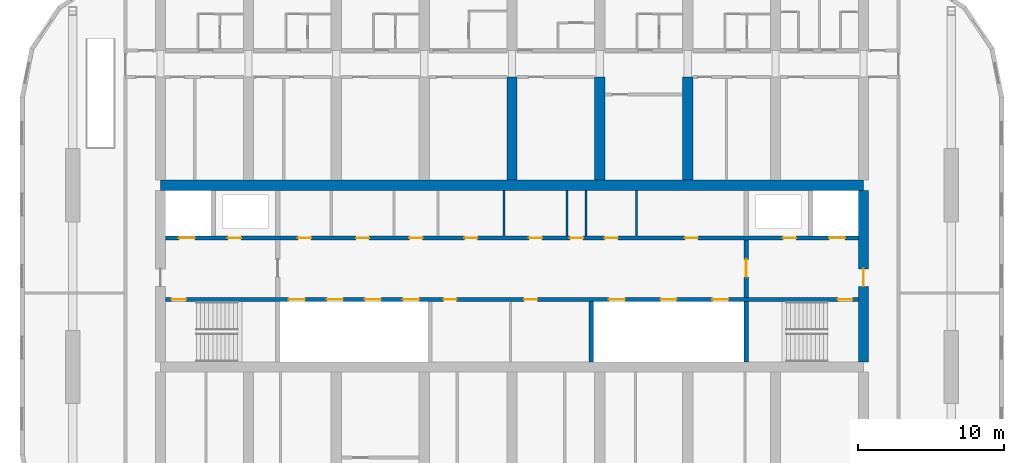
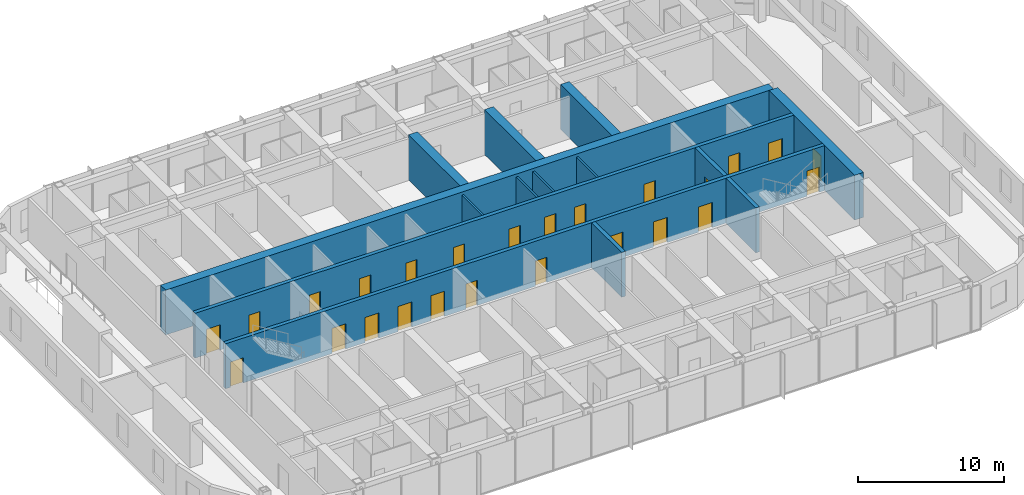
# One storey, part 14 of 23: 25 doors, 14 walls, 25 openings.
"""IFC4 building model written with IfcOpenShell, lengths in metres."""

import ifcopenshell
import ifcopenshell.guid

model = None  # the IFC model being written
_history = None  # IfcOwnerHistory: only IFC2X3 demands one
_inside = {}  # id of a spatial element -> (the spatial element, [elements in it])
_under = {}  # id of a project, library or spatial element -> (it, [spatial elements below it])
_declared = {}  # id of a project -> (the project, [libraries it declares])
_typed = {}  # id of a type object -> (the type object, [elements of that type])
_made_of = {}  # id of a material, layer set ... -> (it, [elements and type objects made of it])


def new_model(schema):
    """Start an empty IFC model of exactly this schema.

    Asked for "IFC4X3", IfcOpenShell would pick the latest addendum, in which some entities
    have other attributes; the version numbers below select the first issue.
    IFC2X3 requires an IfcOwnerHistory on every rooted entity: one is made here for all.
    """
    global model, _history
    if schema == "IFC4X3":
        model = ifcopenshell.file(schema_version=(4, 3, 0, 0))
    else:
        model = ifcopenshell.file(schema=schema)
    _inside.clear()
    _under.clear()
    _declared.clear()
    _typed.clear()
    _made_of.clear()
    _history = None
    if model.schema == "IFC2X3":
        org = make("IfcOrganization", Name="unknown")
        user = make(
            "IfcPersonAndOrganization",
            ThePerson=make("IfcPerson", FamilyName="unknown"),
            TheOrganization=org,
        )
        app = make(
            "IfcApplication",
            ApplicationDeveloper=org,
            Version="unknown",
            ApplicationFullName="unknown",
            ApplicationIdentifier="unknown",
        )
        _history = make(
            "IfcOwnerHistory",
            OwningUser=user,
            OwningApplication=app,
            ChangeAction="ADDED",
            CreationDate=0,
        )
    return model


def make(cls, **values):
    """One entity of the class cls with the attributes given. An attribute that is None is left unset."""
    return model.create_entity(
        cls, **{name: value for name, value in values.items() if value is not None}
    )


def rooted(cls, **values):
    """An entity with a GlobalId (a new one), such as an element, a storey or a relation."""
    return make(cls, GlobalId=ifcopenshell.guid.new(), OwnerHistory=_history, **values)


def si_unit(unit_type, name, prefix=None):
    """IfcSIUnit, for example si_unit("LENGTHUNIT", "METRE", prefix="MILLI")."""
    return make("IfcSIUnit", UnitType=unit_type, Prefix=prefix, Name=name)


def assignment(units):
    """IfcUnitAssignment: the units of a project."""
    return None if units is None else make("IfcUnitAssignment", Units=units)


def point(xyz):
    """IfcCartesianPoint."""
    return None if xyz is None else make("IfcCartesianPoint", Coordinates=xyz)


def direction(xyz):
    """IfcDirection."""
    return None if xyz is None else make("IfcDirection", DirectionRatios=xyz)


def frame(location, z_axis=None, x_axis=None):
    """IfcAxis2Placement3D, a coordinate frame: its origin and axes. An axis left out is left unset."""
    return make(
        "IfcAxis2Placement3D",
        Location=point(location),
        Axis=direction(z_axis),
        RefDirection=direction(x_axis),
    )


def frame_2d(location, x_axis=None):
    """IfcAxis2Placement2D, a coordinate frame in the plane: its origin and x axis."""
    return make(
        "IfcAxis2Placement2D", Location=point(location), RefDirection=direction(x_axis)
    )


def origin():
    """The frame at (0, 0, 0) with its axes left unset."""
    return frame((0.0, 0.0, 0.0))


def place(relative_to, where):
    """IfcLocalPlacement: puts the frame where relative to a parent placement (None: the world)."""
    return make(
        "IfcLocalPlacement", PlacementRelTo=relative_to, RelativePlacement=where
    )


def context(
    kind, dimensions, precision=None, world=None, true_north=None, identifier=None
):
    """IfcGeometricRepresentationContext, for example the 3D "Model" context."""
    return make(
        "IfcGeometricRepresentationContext",
        ContextIdentifier=identifier,
        ContextType=kind,
        CoordinateSpaceDimension=dimensions,
        Precision=precision,
        WorldCoordinateSystem=world,
        TrueNorth=true_north,
    )


def subcontext(parent, identifier, kind, view, scale=None):
    """IfcGeometricRepresentationSubContext, for example "Body" below "Model"."""
    return make(
        "IfcGeometricRepresentationSubContext",
        ContextIdentifier=identifier,
        ContextType=kind,
        ParentContext=parent,
        TargetScale=scale,
        TargetView=view,
    )


def project(units=None, contexts=None):
    """IfcProject with its units and contexts."""
    return rooted(
        "IfcProject",
        Name="project",
        RepresentationContexts=contexts,
        UnitsInContext=assignment(units),
    )


def spatial(cls, under=None, at=None, **own):
    """A site, building, storey or space (cls), placed at a placement, below another one or the project."""
    s = rooted(cls, ObjectPlacement=at, **own)
    if under is not None:
        _under.setdefault(under.id(), (under, []))[1].append(s)
    return s


def profile(cls, at=None, kind="AREA", **sizes):
    """A parametric profile (cls). Its sizes go by their IFC names, for example OverallWidth=200.0."""
    return make(cls, ProfileType=kind, Position=at, **sizes)


def rectangle(**sizes):
    """IfcRectangleProfileDef."""
    return profile("IfcRectangleProfileDef", **sizes)


def extrude(swept, where, along, depth):
    """IfcExtrudedAreaSolid: the profile swept, set in the frame where, extruded along a direction by depth."""
    return make(
        "IfcExtrudedAreaSolid",
        SweptArea=swept,
        Position=where,
        ExtrudedDirection=direction(along),
        Depth=depth,
    )


def shape(context_of_items, identifier, shape_type, items):
    """IfcShapeRepresentation: the items that make up one representation, for example the "Body"."""
    return make(
        "IfcShapeRepresentation",
        ContextOfItems=context_of_items,
        RepresentationIdentifier=identifier,
        RepresentationType=shape_type,
        Items=items,
    )


def material(Name=None, Category=None):
    """IfcMaterial."""
    return make("IfcMaterial", Name=Name, Category=Category)


def layer(
    of_material, thickness, ventilated=None, Name=None, Category=None, Priority=None
):
    """IfcMaterialLayer: one layer of a wall or slab, of a material (None: an air gap)."""
    return make(
        "IfcMaterialLayer",
        Material=of_material,
        LayerThickness=thickness,
        IsVentilated=ventilated,
        Name=Name,
        Category=Category,
        Priority=Priority,
    )


def layer_set(layers, Name=None):
    """IfcMaterialLayerSet."""
    return make("IfcMaterialLayerSet", MaterialLayers=layers, LayerSetName=Name)


def made_of(thing, what):
    """Note that an element or type object is made of a material, layer set ...; save() writes the relation."""
    if what is not None:
        _made_of.setdefault(what.id(), (what, []))[1].append(thing)
    return thing


def type_object(cls, material=None, **own):
    """A type object (cls), such as IfcWallType, which elements share."""
    return made_of(rooted(cls, **own), material)


def element(
    cls,
    number,
    at=None,
    inside=None,
    cuts=None,
    type_object=None,
    material=None,
    context=None,
    identifier="Body",
    shape_type=None,
    held_by="IfcProductDefinitionShape",
    body=None,
    shapes=None,
    **own,
):
    """One element of the class cls, such as IfcWall. Its Tag is "e" and its number.

    at: its placement. inside: the storey or other place that contains it. cuts: it is an
    opening in that element (IfcRelVoidsElement). A single representation is given by context,
    identifier, shape_type and body (its items); several are given by shapes. held_by: the class
    of the entity that holds the representations. save() writes the other relations.
    """
    e = rooted(cls, Tag="e%d" % number, ObjectPlacement=at, **own)
    if body is not None:
        shapes = [shape(context, identifier, shape_type, body)]
    if shapes is not None:
        e.Representation = make(held_by, Representations=shapes)
    if inside is not None:
        _inside.setdefault(inside.id(), (inside, []))[1].append(e)
    if cuts is not None:
        rooted(
            "IfcRelVoidsElement", RelatingBuildingElement=cuts, RelatedOpeningElement=e
        )
    if type_object is not None:
        _typed.setdefault(type_object.id(), (type_object, []))[1].append(e)
    return made_of(e, material)


def fill(opening, filler):
    """IfcRelFillsElement: the door or window that sits in an opening."""
    return rooted(
        "IfcRelFillsElement",
        RelatingOpeningElement=opening,
        RelatedBuildingElement=filler,
    )


def aggregate(whole, parts):
    """IfcRelAggregates: a whole, such as a stair, and the parts it consists of."""
    return rooted("IfcRelAggregates", RelatingObject=whole, RelatedObjects=parts)


def save(model, path):
    """Write the relations noted so far, then the file.

    IfcRelAggregates (storeys below a building ...), IfcRelContainedInSpatialStructure (elements
    in a storey), IfcRelDefinesByType, IfcRelAssociatesMaterial and IfcRelDeclares: one each for
    every whole, place, type object, material and project.
    """
    for whole, parts in _under.values():
        aggregate(whole, parts)
    for where, things in _inside.values():
        rooted(
            "IfcRelContainedInSpatialStructure",
            RelatedElements=things,
            RelatingStructure=where,
        )
    for kind, things in _typed.values():
        rooted("IfcRelDefinesByType", RelatedObjects=things, RelatingType=kind)
    for what, things in _made_of.values():
        rooted("IfcRelAssociatesMaterial", RelatedObjects=things, RelatingMaterial=what)
    for by, libraries in _declared.values():
        rooted("IfcRelDeclares", RelatingContext=by, RelatedDefinitions=libraries)
    model.write(path)


model = new_model("IFC4")

# Units and contexts
model_context = context("Model", 3, precision=1e-05, world=origin(), true_north=direction((0.0, 1.0)))
body_context = subcontext(model_context, "Body", "Model", "MODEL_VIEW")
ifc_project = project(units=[si_unit("LENGTHUNIT", "METRE"), si_unit("AREAUNIT", "SQUARE_METRE"), si_unit("VOLUMEUNIT", "CUBIC_METRE"), si_unit("PLANEANGLEUNIT", "RADIAN"), si_unit("MASSUNIT", "GRAM", prefix="KILO")], contexts=[model_context])

# Site, building, storey
site_placement = place(None, origin())
site = spatial("IfcSite", under=ifc_project, at=site_placement, CompositionType="ELEMENT")
building_placement = place(site_placement, origin())
building = spatial("IfcBuilding", under=site, at=building_placement, Name="Orbita Commons", CompositionType="ELEMENT")
storey_placement = place(building_placement, frame((0.0, 0.0, 250.300048828125)))
storey = spatial("IfcBuildingStorey", under=building, at=storey_placement, Name="L62", CompositionType="ELEMENT", Elevation=250.300048828125)

# Wall, openings, doors
ifc_material_1 = material(Name="Concrete C50/60", Category="concrete")
ifc_layer_1 = layer(ifc_material_1, 0.300048828125)
ifc_layer_set_1 = layer_set([ifc_layer_1], Name="Concrete C50/60")
wall_type_1 = type_object("IfcWallType", Name="Core inner wall 300 C50/60", PredefinedType="SHEAR", material=ifc_layer_set_1)
wall_1_placement = place(storey_placement, frame((18.35009765625, 30.39990234375, 0.0), z_axis=(0.0, 0.0, 1.0), x_axis=(1.0, 0.0, 0.0)))
wall_1 = element("IfcWall", 1, at=wall_1_placement, inside=storey, type_object=wall_type_1, Name="Lobby wall south L62", PredefinedType="SHEAR", context=body_context, shape_type="SweptSolid", body=[
    extrude(rectangle(XDim=47.2998046875, YDim=0.300048828125, at=frame_2d((23.64990234375, 0.0))), origin(), (0.0, 0.0, 1.0), 3.75),
])
opening_1_placement = place(wall_1_placement, frame((0.39990234375, 0.0, 0.0)))
opening_1 = element("IfcOpeningElement", 2, at=opening_1_placement, cuts=wall_1, Name="Opening D02", PredefinedType="OPENING", context=body_context, shape_type="SweptSolid", body=[
    extrude(rectangle(XDim=1.0, YDim=2.10009765625, at=frame_2d((0.5, 1.050048828125))), frame((0.0, 0.159912109375, 0.0), z_axis=(0.0, -1.0, 0.0), x_axis=(1.0, 0.0, 0.0)), (0.0, 0.0, 1.0), 0.320068359375),
])
opening_2_placement = place(wall_1_placement, frame((45.89990234375, 0.0, 0.0)))
opening_2 = element("IfcOpeningElement", 3, at=opening_2_placement, cuts=wall_1, Name="Opening D02", PredefinedType="OPENING", context=body_context, shape_type="SweptSolid", body=[
    extrude(rectangle(XDim=1.0, YDim=2.10009765625, at=frame_2d((0.5, 1.050048828125))), frame((0.0, 0.159912109375, 0.0), z_axis=(0.0, -1.0, 0.0), x_axis=(1.0, 0.0, 0.0)), (0.0, 0.0, 1.0), 0.320068359375),
])
opening_3_placement = place(wall_1_placement, frame((8.39990234375, 0.0, 0.0)))
opening_3 = element("IfcOpeningElement", 4, at=opening_3_placement, cuts=wall_1, Name="Opening LD02", PredefinedType="OPENING", context=body_context, shape_type="SweptSolid", body=[
    extrude(rectangle(XDim=1.10009765625, YDim=2.10009765625, at=frame_2d((0.550048828125, 1.050048828125))), frame((0.0, 0.159912109375, 0.0), z_axis=(0.0, -1.0, 0.0), x_axis=(1.0, 0.0, 0.0)), (0.0, 0.0, 1.0), 0.320068359375),
])
opening_4_placement = place(wall_1_placement, frame((11.0, 0.0, 0.0)))
opening_4 = element("IfcOpeningElement", 5, at=opening_4_placement, cuts=wall_1, Name="Opening LD02", PredefinedType="OPENING", context=body_context, shape_type="SweptSolid", body=[
    extrude(rectangle(XDim=1.10009765625, YDim=2.10009765625, at=frame_2d((0.550048828125, 1.050048828125))), frame((0.0, 0.159912109375, 0.0), z_axis=(0.0, -1.0, 0.0), x_axis=(1.0, 0.0, 0.0)), (0.0, 0.0, 1.0), 0.320068359375),
])
opening_5_placement = place(wall_1_placement, frame((13.60009765625, 0.0, 0.0)))
opening_5 = element("IfcOpeningElement", 6, at=opening_5_placement, cuts=wall_1, Name="Opening LD02", PredefinedType="OPENING", context=body_context, shape_type="SweptSolid", body=[
    extrude(rectangle(XDim=1.10009765625, YDim=2.10009765625, at=frame_2d((0.550048828125, 1.050048828125))), frame((0.0, 0.159912109375, 0.0), z_axis=(0.0, -1.0, 0.0), x_axis=(1.0, 0.0, 0.0)), (0.0, 0.0, 1.0), 0.320068359375),
])
opening_6_placement = place(wall_1_placement, frame((16.199951171875, 0.0, 0.0)))
opening_6 = element("IfcOpeningElement", 7, at=opening_6_placement, cuts=wall_1, Name="Opening LD02", PredefinedType="OPENING", context=body_context, shape_type="SweptSolid", body=[
    extrude(rectangle(XDim=1.10009765625, YDim=2.10009765625, at=frame_2d((0.550048828125, 1.050048828125))), frame((0.0, 0.159912109375, 0.0), z_axis=(0.0, -1.0, 0.0), x_axis=(1.0, 0.0, 0.0)), (0.0, 0.0, 1.0), 0.320068359375),
])
opening_7_placement = place(wall_1_placement, frame((18.97509765625, 0.0, 0.0)))
opening_7 = element("IfcOpeningElement", 8, at=opening_7_placement, cuts=wall_1, Name="Opening D05", PredefinedType="OPENING", context=body_context, shape_type="SweptSolid", body=[
    extrude(rectangle(XDim=0.89990234375, YDim=2.10009765625, at=frame_2d((0.449951171875, 1.050048828125))), frame((0.0, 0.159912109375, 0.0), z_axis=(0.0, -1.0, 0.0), x_axis=(1.0, 0.0, 0.0)), (0.0, 0.0, 1.0), 0.320068359375),
])
opening_8_placement = place(wall_1_placement, frame((24.47509765625, 0.0, 0.0)))
opening_8 = element("IfcOpeningElement", 9, at=opening_8_placement, cuts=wall_1, Name="Opening D05", PredefinedType="OPENING", context=body_context, shape_type="SweptSolid", body=[
    extrude(rectangle(XDim=0.89990234375, YDim=2.10009765625, at=frame_2d((0.449951171875, 1.050048828125))), frame((0.0, 0.159912109375, 0.0), z_axis=(0.0, -1.0, 0.0), x_axis=(1.0, 0.0, 0.0)), (0.0, 0.0, 1.0), 0.320068359375),
])
opening_9_placement = place(wall_1_placement, frame((30.2666015625, 0.0, 0.0)))
opening_9 = element("IfcOpeningElement", 10, at=opening_9_placement, cuts=wall_1, Name="Opening LD02", PredefinedType="OPENING", context=body_context, shape_type="SweptSolid", body=[
    extrude(rectangle(XDim=1.10009765625, YDim=2.10009765625, at=frame_2d((0.550048828125, 1.050048828125))), frame((0.0, 0.159912109375, 0.0), z_axis=(0.0, -1.0, 0.0), x_axis=(1.0, 0.0, 0.0)), (0.0, 0.0, 1.0), 0.320068359375),
])
opening_10_placement = place(wall_1_placement, frame((33.800048828125, 0.0, 0.0)))
opening_10 = element("IfcOpeningElement", 11, at=opening_10_placement, cuts=wall_1, Name="Opening LD02", PredefinedType="OPENING", context=body_context, shape_type="SweptSolid", body=[
    extrude(rectangle(XDim=1.10009765625, YDim=2.10009765625, at=frame_2d((0.550048828125, 1.050048828125))), frame((0.0, 0.159912109375, 0.0), z_axis=(0.0, -1.0, 0.0), x_axis=(1.0, 0.0, 0.0)), (0.0, 0.0, 1.0), 0.320068359375),
])
opening_11_placement = place(wall_1_placement, frame((37.333251953125, 0.0, 0.0)))
opening_11 = element("IfcOpeningElement", 12, at=opening_11_placement, cuts=wall_1, Name="Opening LD02", PredefinedType="OPENING", context=body_context, shape_type="SweptSolid", body=[
    extrude(rectangle(XDim=1.10009765625, YDim=2.10009765625, at=frame_2d((0.550048828125, 1.050048828125))), frame((0.0, 0.159912109375, 0.0), z_axis=(0.0, -1.0, 0.0), x_axis=(1.0, 0.0, 0.0)), (0.0, 0.0, 1.0), 0.320068359375),
])
ifc_material_2 = material(Name="Steel-faced fire door leaf", Category="steel")
door_type_1 = type_object("IfcDoorType", Name="Fire door 90 min 1000x2100", OperationType="SINGLE_SWING_LEFT", PredefinedType="DOOR", material=ifc_material_2)
door_1_placement = place(opening_1_placement, origin())
door_1 = element("IfcDoor", 13, at=door_1_placement, inside=storey, type_object=door_type_1, Name="Stair S1 door", OperationType="SINGLE_SWING_LEFT", OverallHeight=2.10009765625, OverallWidth=1.0, PredefinedType="DOOR", context=body_context, shape_type="SweptSolid", body=[
    extrude(rectangle(XDim=1.0, YDim=2.10009765625, at=frame_2d((0.5, 1.050048828125))), frame((0.0, 0.02490234375, 0.0), z_axis=(0.0, -1.0, 0.0), x_axis=(1.0, 0.0, 0.0)), (0.0, 0.0, 1.0), 0.050048828125),
])
fill(opening_1, door_1)
door_2_placement = place(opening_2_placement, origin())
door_2 = element("IfcDoor", 14, at=door_2_placement, inside=storey, type_object=door_type_1, Name="Stair S2 door", OperationType="SINGLE_SWING_LEFT", OverallHeight=2.10009765625, OverallWidth=1.0, PredefinedType="DOOR", context=body_context, shape_type="SweptSolid", body=[
    extrude(rectangle(XDim=1.0, YDim=2.10009765625, at=frame_2d((0.5, 1.050048828125))), frame((0.0, 0.02490234375, 0.0), z_axis=(0.0, -1.0, 0.0), x_axis=(1.0, 0.0, 0.0)), (0.0, 0.0, 1.0), 0.050048828125),
])
fill(opening_2, door_2)
ifc_material_3 = material(Name="Steel-faced fire door leaf", Category="steel")
door_type_2 = type_object("IfcDoorType", Name="Lift landing door 1100x2100", OperationType="DOUBLE_DOOR_SLIDING", PredefinedType="DOOR", material=ifc_material_3)
door_3_placement = place(opening_3_placement, origin())
door_3 = element("IfcDoor", 15, at=door_3_placement, inside=storey, type_object=door_type_2, Name="Lift P41 landing door", OperationType="DOUBLE_DOOR_SLIDING", OverallHeight=2.10009765625, OverallWidth=1.10009765625, PredefinedType="DOOR", context=body_context, shape_type="SweptSolid", body=[
    extrude(rectangle(XDim=1.10009765625, YDim=2.10009765625, at=frame_2d((0.550048828125, 1.050048828125))), frame((0.0, 0.02490234375, 0.0), z_axis=(0.0, -1.0, 0.0), x_axis=(1.0, 0.0, 0.0)), (0.0, 0.0, 1.0), 0.050048828125),
])
fill(opening_3, door_3)
door_4_placement = place(opening_4_placement, origin())
door_4 = element("IfcDoor", 16, at=door_4_placement, inside=storey, type_object=door_type_2, Name="Lift P42 landing door", OperationType="DOUBLE_DOOR_SLIDING", OverallHeight=2.10009765625, OverallWidth=1.10009765625, PredefinedType="DOOR", context=body_context, shape_type="SweptSolid", body=[
    extrude(rectangle(XDim=1.10009765625, YDim=2.10009765625, at=frame_2d((0.550048828125, 1.050048828125))), frame((0.0, 0.02490234375, 0.0), z_axis=(0.0, -1.0, 0.0), x_axis=(1.0, 0.0, 0.0)), (0.0, 0.0, 1.0), 0.050048828125),
])
fill(opening_4, door_4)
door_5_placement = place(opening_5_placement, origin())
door_5 = element("IfcDoor", 17, at=door_5_placement, inside=storey, type_object=door_type_2, Name="Lift P43 landing door", OperationType="DOUBLE_DOOR_SLIDING", OverallHeight=2.10009765625, OverallWidth=1.10009765625, PredefinedType="DOOR", context=body_context, shape_type="SweptSolid", body=[
    extrude(rectangle(XDim=1.10009765625, YDim=2.10009765625, at=frame_2d((0.550048828125, 1.050048828125))), frame((0.0, 0.02490234375, 0.0), z_axis=(0.0, -1.0, 0.0), x_axis=(1.0, 0.0, 0.0)), (0.0, 0.0, 1.0), 0.050048828125),
])
fill(opening_5, door_5)
door_6_placement = place(opening_6_placement, origin())
door_6 = element("IfcDoor", 18, at=door_6_placement, inside=storey, type_object=door_type_2, Name="Lift P44 landing door", OperationType="DOUBLE_DOOR_SLIDING", OverallHeight=2.10009765625, OverallWidth=1.10009765625, PredefinedType="DOOR", context=body_context, shape_type="SweptSolid", body=[
    extrude(rectangle(XDim=1.10009765625, YDim=2.10009765625, at=frame_2d((0.550048828125, 1.050048828125))), frame((0.0, 0.02490234375, 0.0), z_axis=(0.0, -1.0, 0.0), x_axis=(1.0, 0.0, 0.0)), (0.0, 0.0, 1.0), 0.050048828125),
])
fill(opening_6, door_6)
door_7_placement = place(opening_9_placement, origin())
door_7 = element("IfcDoor", 19, at=door_7_placement, inside=storey, type_object=door_type_2, Name="Lift SV1 landing door", OperationType="DOUBLE_DOOR_SLIDING", OverallHeight=2.10009765625, OverallWidth=1.10009765625, PredefinedType="DOOR", context=body_context, shape_type="SweptSolid", body=[
    extrude(rectangle(XDim=1.10009765625, YDim=2.10009765625, at=frame_2d((0.550048828125, 1.050048828125))), frame((0.0, 0.02490234375, 0.0), z_axis=(0.0, -1.0, 0.0), x_axis=(1.0, 0.0, 0.0)), (0.0, 0.0, 1.0), 0.050048828125),
])
fill(opening_9, door_7)
door_8_placement = place(opening_10_placement, origin())
door_8 = element("IfcDoor", 20, at=door_8_placement, inside=storey, type_object=door_type_2, Name="Lift SV2 landing door", OperationType="DOUBLE_DOOR_SLIDING", OverallHeight=2.10009765625, OverallWidth=1.10009765625, PredefinedType="DOOR", context=body_context, shape_type="SweptSolid", body=[
    extrude(rectangle(XDim=1.10009765625, YDim=2.10009765625, at=frame_2d((0.550048828125, 1.050048828125))), frame((0.0, 0.02490234375, 0.0), z_axis=(0.0, -1.0, 0.0), x_axis=(1.0, 0.0, 0.0)), (0.0, 0.0, 1.0), 0.050048828125),
])
fill(opening_10, door_8)
door_9_placement = place(opening_11_placement, origin())
door_9 = element("IfcDoor", 21, at=door_9_placement, inside=storey, type_object=door_type_2, Name="Lift SV3 landing door", OperationType="DOUBLE_DOOR_SLIDING", OverallHeight=2.10009765625, OverallWidth=1.10009765625, PredefinedType="DOOR", context=body_context, shape_type="SweptSolid", body=[
    extrude(rectangle(XDim=1.10009765625, YDim=2.10009765625, at=frame_2d((0.550048828125, 1.050048828125))), frame((0.0, 0.02490234375, 0.0), z_axis=(0.0, -1.0, 0.0), x_axis=(1.0, 0.0, 0.0)), (0.0, 0.0, 1.0), 0.050048828125),
])
fill(opening_11, door_9)
ifc_material_4 = material(Name="Steel-faced fire door leaf", Category="steel")
door_type_3 = type_object("IfcDoorType", Name="Service door 20 min 900x2100", OperationType="SINGLE_SWING_LEFT", PredefinedType="DOOR", material=ifc_material_4)
door_10_placement = place(opening_7_placement, origin())
door_10 = element("IfcDoor", 22, at=door_10_placement, inside=storey, type_object=door_type_3, Name="Residents' store door", OperationType="SINGLE_SWING_LEFT", OverallHeight=2.10009765625, OverallWidth=0.89990234375, PredefinedType="DOOR", context=body_context, shape_type="SweptSolid", body=[
    extrude(rectangle(XDim=0.89990234375, YDim=2.10009765625, at=frame_2d((0.449951171875, 1.050048828125))), frame((0.0, 0.02490234375, 0.0), z_axis=(0.0, -1.0, 0.0), x_axis=(1.0, 0.0, 0.0)), (0.0, 0.0, 1.0), 0.050048828125),
])
fill(opening_7, door_10)
door_11_placement = place(opening_8_placement, origin())
door_11 = element("IfcDoor", 23, at=door_11_placement, inside=storey, type_object=door_type_3, Name="IT room door", OperationType="SINGLE_SWING_LEFT", OverallHeight=2.10009765625, OverallWidth=0.89990234375, PredefinedType="DOOR", context=body_context, shape_type="SweptSolid", body=[
    extrude(rectangle(XDim=0.89990234375, YDim=2.10009765625, at=frame_2d((0.449951171875, 1.050048828125))), frame((0.0, 0.02490234375, 0.0), z_axis=(0.0, -1.0, 0.0), x_axis=(1.0, 0.0, 0.0)), (0.0, 0.0, 1.0), 0.050048828125),
])
fill(opening_8, door_11)

wall_2_placement = place(storey_placement, frame((18.35009765625, 34.60009765625, 0.0), z_axis=(0.0, 0.0, 1.0), x_axis=(1.0, 0.0, 0.0)))
wall_2 = element("IfcWall", 24, at=wall_2_placement, inside=storey, type_object=wall_type_1, Name="Lobby wall north L62", PredefinedType="SHEAR", context=body_context, shape_type="SweptSolid", body=[
    extrude(rectangle(XDim=47.2998046875, YDim=0.300048828125, at=frame_2d((23.64990234375, 0.0))), origin(), (0.0, 0.0, 1.0), 3.75),
])
opening_12_placement = place(wall_2_placement, frame((0.89990234375, 0.0, 0.0)))
opening_12 = element("IfcOpeningElement", 25, at=opening_12_placement, cuts=wall_2, Name="Opening LD01", PredefinedType="OPENING", context=body_context, shape_type="SweptSolid", body=[
    extrude(rectangle(XDim=1.10009765625, YDim=2.10009765625, at=frame_2d((0.550048828125, 1.050048828125))), frame((0.0, 0.159912109375, 0.0), z_axis=(0.0, -1.0, 0.0), x_axis=(1.0, 0.0, 0.0)), (0.0, 0.0, 1.0), 0.320068359375),
])
opening_13_placement = place(wall_2_placement, frame((45.300048828125, 0.0, 0.0)))
opening_13 = element("IfcOpeningElement", 26, at=opening_13_placement, cuts=wall_2, Name="Opening LD01", PredefinedType="OPENING", context=body_context, shape_type="SweptSolid", body=[
    extrude(rectangle(XDim=1.10009765625, YDim=2.10009765625, at=frame_2d((0.550048828125, 1.050048828125))), frame((0.0, 0.159912109375, 0.0), z_axis=(0.0, -1.0, 0.0), x_axis=(1.0, 0.0, 0.0)), (0.0, 0.0, 1.0), 0.320068359375),
])
opening_14_placement = place(wall_2_placement, frame((4.25, 0.0, 0.0)))
opening_14 = element("IfcOpeningElement", 27, at=opening_14_placement, cuts=wall_2, Name="Opening D03", PredefinedType="OPENING", context=body_context, shape_type="SweptSolid", body=[
    extrude(rectangle(XDim=0.89990234375, YDim=2.10009765625, at=frame_2d((0.449951171875, 1.050048828125))), frame((0.0, 0.159912109375, 0.0), z_axis=(0.0, -1.0, 0.0), x_axis=(1.0, 0.0, 0.0)), (0.0, 0.0, 1.0), 0.320068359375),
])
opening_15_placement = place(wall_2_placement, frame((42.14990234375, 0.0, 0.0)))
opening_15 = element("IfcOpeningElement", 28, at=opening_15_placement, cuts=wall_2, Name="Opening D03", PredefinedType="OPENING", context=body_context, shape_type="SweptSolid", body=[
    extrude(rectangle(XDim=0.89990234375, YDim=2.10009765625, at=frame_2d((0.449951171875, 1.050048828125))), frame((0.0, 0.159912109375, 0.0), z_axis=(0.0, -1.0, 0.0), x_axis=(1.0, 0.0, 0.0)), (0.0, 0.0, 1.0), 0.320068359375),
])
opening_16_placement = place(wall_2_placement, frame((9.025390625, 0.0, 0.0)))
opening_16 = element("IfcOpeningElement", 29, at=opening_16_placement, cuts=wall_2, Name="Opening D05", PredefinedType="OPENING", context=body_context, shape_type="SweptSolid", body=[
    extrude(rectangle(XDim=0.89990234375, YDim=2.10009765625, at=frame_2d((0.449951171875, 1.050048828125))), frame((0.0, 0.159912109375, 0.0), z_axis=(0.0, -1.0, 0.0), x_axis=(1.0, 0.0, 0.0)), (0.0, 0.0, 1.0), 0.320068359375),
])
opening_17_placement = place(wall_2_placement, frame((12.998779296875, 0.0, 0.0)))
opening_17 = element("IfcOpeningElement", 30, at=opening_17_placement, cuts=wall_2, Name="Opening D03", PredefinedType="OPENING", context=body_context, shape_type="SweptSolid", body=[
    extrude(rectangle(XDim=0.89990234375, YDim=2.10009765625, at=frame_2d((0.449951171875, 1.050048828125))), frame((0.0, 0.159912109375, 0.0), z_axis=(0.0, -1.0, 0.0), x_axis=(1.0, 0.0, 0.0)), (0.0, 0.0, 1.0), 0.320068359375),
])
opening_18_placement = place(wall_2_placement, frame((16.646240234375, 0.0, 0.0)))
opening_18 = element("IfcOpeningElement", 31, at=opening_18_placement, cuts=wall_2, Name="Opening D03", PredefinedType="OPENING", context=body_context, shape_type="SweptSolid", body=[
    extrude(rectangle(XDim=0.89990234375, YDim=2.10009765625, at=frame_2d((0.449951171875, 1.050048828125))), frame((0.0, 0.159912109375, 0.0), z_axis=(0.0, -1.0, 0.0), x_axis=(1.0, 0.0, 0.0)), (0.0, 0.0, 1.0), 0.320068359375),
])
opening_19_placement = place(wall_2_placement, frame((20.40478515625, 0.0, 0.0)))
opening_19 = element("IfcOpeningElement", 32, at=opening_19_placement, cuts=wall_2, Name="Opening D05", PredefinedType="OPENING", context=body_context, shape_type="SweptSolid", body=[
    extrude(rectangle(XDim=0.89990234375, YDim=2.10009765625, at=frame_2d((0.449951171875, 1.050048828125))), frame((0.0, 0.159912109375, 0.0), z_axis=(0.0, -1.0, 0.0), x_axis=(1.0, 0.0, 0.0)), (0.0, 0.0, 1.0), 0.320068359375),
])
opening_20_placement = place(wall_2_placement, frame((24.810791015625, 0.0, 0.0)))
opening_20 = element("IfcOpeningElement", 33, at=opening_20_placement, cuts=wall_2, Name="Opening D03", PredefinedType="OPENING", context=body_context, shape_type="SweptSolid", body=[
    extrude(rectangle(XDim=0.89990234375, YDim=2.10009765625, at=frame_2d((0.449951171875, 1.050048828125))), frame((0.0, 0.159912109375, 0.0), z_axis=(0.0, -1.0, 0.0), x_axis=(1.0, 0.0, 0.0)), (0.0, 0.0, 1.0), 0.320068359375),
])
opening_21_placement = place(wall_2_placement, frame((27.6083984375, 0.0, 0.0)))
opening_21 = element("IfcOpeningElement", 34, at=opening_21_placement, cuts=wall_2, Name="Opening D03", PredefinedType="OPENING", context=body_context, shape_type="SweptSolid", body=[
    extrude(rectangle(XDim=0.89990234375, YDim=2.10009765625, at=frame_2d((0.449951171875, 1.050048828125))), frame((0.0, 0.159912109375, 0.0), z_axis=(0.0, -1.0, 0.0), x_axis=(1.0, 0.0, 0.0)), (0.0, 0.0, 1.0), 0.320068359375),
])
opening_22_placement = place(wall_2_placement, frame((29.980712890625, 0.0, 0.0)))
opening_22 = element("IfcOpeningElement", 35, at=opening_22_placement, cuts=wall_2, Name="Opening D05", PredefinedType="OPENING", context=body_context, shape_type="SweptSolid", body=[
    extrude(rectangle(XDim=0.89990234375, YDim=2.10009765625, at=frame_2d((0.449951171875, 1.050048828125))), frame((0.0, 0.159912109375, 0.0), z_axis=(0.0, -1.0, 0.0), x_axis=(1.0, 0.0, 0.0)), (0.0, 0.0, 1.0), 0.320068359375),
])
opening_23_placement = place(wall_2_placement, frame((35.451416015625, 0.0, 0.0)))
opening_23 = element("IfcOpeningElement", 36, at=opening_23_placement, cuts=wall_2, Name="Opening D03", PredefinedType="OPENING", context=body_context, shape_type="SweptSolid", body=[
    extrude(rectangle(XDim=0.89990234375, YDim=2.10009765625, at=frame_2d((0.449951171875, 1.050048828125))), frame((0.0, 0.159912109375, 0.0), z_axis=(0.0, -1.0, 0.0), x_axis=(1.0, 0.0, 0.0)), (0.0, 0.0, 1.0), 0.320068359375),
])
ifc_material_5 = material(Name="Steel-faced fire door leaf", Category="steel")
door_type_4 = type_object("IfcDoorType", Name="Firefighting lift landing door 1100x2100", OperationType="DOUBLE_DOOR_SLIDING", PredefinedType="DOOR", material=ifc_material_5)
door_12_placement = place(opening_12_placement, origin())
door_12 = element("IfcDoor", 37, at=door_12_placement, inside=storey, type_object=door_type_4, Name="Firefighting lift FL1 landing door", OperationType="DOUBLE_DOOR_SLIDING", OverallHeight=2.10009765625, OverallWidth=1.10009765625, PredefinedType="DOOR", context=body_context, shape_type="SweptSolid", body=[
    extrude(rectangle(XDim=1.10009765625, YDim=2.10009765625, at=frame_2d((0.550048828125, 1.050048828125))), frame((0.0, 0.02490234375, 0.0), z_axis=(0.0, -1.0, 0.0), x_axis=(1.0, 0.0, 0.0)), (0.0, 0.0, 1.0), 0.050048828125),
])
fill(opening_12, door_12)
door_13_placement = place(opening_13_placement, origin())
door_13 = element("IfcDoor", 38, at=door_13_placement, inside=storey, type_object=door_type_4, Name="Firefighting lift FL2 landing door", OperationType="DOUBLE_DOOR_SLIDING", OverallHeight=2.10009765625, OverallWidth=1.10009765625, PredefinedType="DOOR", context=body_context, shape_type="SweptSolid", body=[
    extrude(rectangle(XDim=1.10009765625, YDim=2.10009765625, at=frame_2d((0.550048828125, 1.050048828125))), frame((0.0, 0.02490234375, 0.0), z_axis=(0.0, -1.0, 0.0), x_axis=(1.0, 0.0, 0.0)), (0.0, 0.0, 1.0), 0.050048828125),
])
fill(opening_13, door_13)
door_14_placement = place(opening_16_placement, origin())
door_14 = element("IfcDoor", 39, at=door_14_placement, inside=storey, type_object=door_type_3, Name="Staff WC door", OperationType="SINGLE_SWING_LEFT", OverallHeight=2.10009765625, OverallWidth=0.89990234375, PredefinedType="DOOR", context=body_context, shape_type="SweptSolid", body=[
    extrude(rectangle(XDim=0.89990234375, YDim=2.10009765625, at=frame_2d((0.449951171875, 1.050048828125))), frame((0.0, 0.02490234375, 0.0), z_axis=(0.0, -1.0, 0.0), x_axis=(1.0, 0.0, 0.0)), (0.0, 0.0, 1.0), 0.050048828125),
])
fill(opening_16, door_14)
door_15_placement = place(opening_19_placement, origin())
door_15 = element("IfcDoor", 40, at=door_15_placement, inside=storey, type_object=door_type_3, Name="Vending and ice room door", OperationType="SINGLE_SWING_LEFT", OverallHeight=2.10009765625, OverallWidth=0.89990234375, PredefinedType="DOOR", context=body_context, shape_type="SweptSolid", body=[
    extrude(rectangle(XDim=0.89990234375, YDim=2.10009765625, at=frame_2d((0.449951171875, 1.050048828125))), frame((0.0, 0.02490234375, 0.0), z_axis=(0.0, -1.0, 0.0), x_axis=(1.0, 0.0, 0.0)), (0.0, 0.0, 1.0), 0.050048828125),
])
fill(opening_19, door_15)
door_16_placement = place(opening_22_placement, origin())
door_16 = element("IfcDoor", 41, at=door_16_placement, inside=storey, type_object=door_type_3, Name="Accessible WC door", OperationType="SINGLE_SWING_LEFT", OverallHeight=2.10009765625, OverallWidth=0.89990234375, PredefinedType="DOOR", context=body_context, shape_type="SweptSolid", body=[
    extrude(rectangle(XDim=0.89990234375, YDim=2.10009765625, at=frame_2d((0.449951171875, 1.050048828125))), frame((0.0, 0.02490234375, 0.0), z_axis=(0.0, -1.0, 0.0), x_axis=(1.0, 0.0, 0.0)), (0.0, 0.0, 1.0), 0.050048828125),
])
fill(opening_22, door_16)
ifc_material_6 = material(Name="Steel-faced fire door leaf", Category="steel")
door_type_5 = type_object("IfcDoorType", Name="Shaft access door 90 min 900x2100", OperationType="SINGLE_SWING_LEFT", PredefinedType="DOOR", material=ifc_material_6)
door_17_placement = place(opening_14_placement, origin())
door_17 = element("IfcDoor", 42, at=door_17_placement, inside=storey, type_object=door_type_5, Name="Riser door west", OperationType="SINGLE_SWING_LEFT", OverallHeight=2.10009765625, OverallWidth=0.89990234375, PredefinedType="DOOR", context=body_context, shape_type="SweptSolid", body=[
    extrude(rectangle(XDim=0.89990234375, YDim=2.10009765625, at=frame_2d((0.449951171875, 1.050048828125))), frame((0.0, 0.02490234375, 0.0), z_axis=(0.0, -1.0, 0.0), x_axis=(1.0, 0.0, 0.0)), (0.0, 0.0, 1.0), 0.050048828125),
])
fill(opening_14, door_17)
door_18_placement = place(opening_15_placement, origin())
door_18 = element("IfcDoor", 43, at=door_18_placement, inside=storey, type_object=door_type_5, Name="Riser door east", OperationType="SINGLE_SWING_LEFT", OverallHeight=2.10009765625, OverallWidth=0.89990234375, PredefinedType="DOOR", context=body_context, shape_type="SweptSolid", body=[
    extrude(rectangle(XDim=0.89990234375, YDim=2.10009765625, at=frame_2d((0.449951171875, 1.050048828125))), frame((0.0, 0.02490234375, 0.0), z_axis=(0.0, -1.0, 0.0), x_axis=(1.0, 0.0, 0.0)), (0.0, 0.0, 1.0), 0.050048828125),
])
fill(opening_15, door_18)
door_19_placement = place(opening_17_placement, origin())
door_19 = element("IfcDoor", 44, at=door_19_placement, inside=storey, type_object=door_type_5, Name="Refuse chute room door", OperationType="SINGLE_SWING_LEFT", OverallHeight=2.10009765625, OverallWidth=0.89990234375, PredefinedType="DOOR", context=body_context, shape_type="SweptSolid", body=[
    extrude(rectangle(XDim=0.89990234375, YDim=2.10009765625, at=frame_2d((0.449951171875, 1.050048828125))), frame((0.0, 0.02490234375, 0.0), z_axis=(0.0, -1.0, 0.0), x_axis=(1.0, 0.0, 0.0)), (0.0, 0.0, 1.0), 0.050048828125),
])
fill(opening_17, door_19)
door_20_placement = place(opening_18_placement, origin())
door_20 = element("IfcDoor", 45, at=door_20_placement, inside=storey, type_object=door_type_5, Name="Electrical riser room door", OperationType="SINGLE_SWING_LEFT", OverallHeight=2.10009765625, OverallWidth=0.89990234375, PredefinedType="DOOR", context=body_context, shape_type="SweptSolid", body=[
    extrude(rectangle(XDim=0.89990234375, YDim=2.10009765625, at=frame_2d((0.449951171875, 1.050048828125))), frame((0.0, 0.02490234375, 0.0), z_axis=(0.0, -1.0, 0.0), x_axis=(1.0, 0.0, 0.0)), (0.0, 0.0, 1.0), 0.050048828125),
])
fill(opening_18, door_20)
door_21_placement = place(opening_20_placement, origin())
door_21 = element("IfcDoor", 46, at=door_21_placement, inside=storey, type_object=door_type_5, Name="Communications room door", OperationType="SINGLE_SWING_LEFT", OverallHeight=2.10009765625, OverallWidth=0.89990234375, PredefinedType="DOOR", context=body_context, shape_type="SweptSolid", body=[
    extrude(rectangle(XDim=0.89990234375, YDim=2.10009765625, at=frame_2d((0.449951171875, 1.050048828125))), frame((0.0, 0.02490234375, 0.0), z_axis=(0.0, -1.0, 0.0), x_axis=(1.0, 0.0, 0.0)), (0.0, 0.0, 1.0), 0.050048828125),
])
fill(opening_20, door_21)
door_22_placement = place(opening_21_placement, origin())
door_22 = element("IfcDoor", 47, at=door_22_placement, inside=storey, type_object=door_type_5, Name="Stair pressurisation duct door", OperationType="SINGLE_SWING_LEFT", OverallHeight=2.10009765625, OverallWidth=0.89990234375, PredefinedType="DOOR", context=body_context, shape_type="SweptSolid", body=[
    extrude(rectangle(XDim=0.89990234375, YDim=2.10009765625, at=frame_2d((0.449951171875, 1.050048828125))), frame((0.0, 0.02490234375, 0.0), z_axis=(0.0, -1.0, 0.0), x_axis=(1.0, 0.0, 0.0)), (0.0, 0.0, 1.0), 0.050048828125),
])
fill(opening_21, door_22)
door_23_placement = place(opening_23_placement, origin())
door_23 = element("IfcDoor", 48, at=door_23_placement, inside=storey, type_object=door_type_5, Name="Linen and housekeeping store door", OperationType="SINGLE_SWING_LEFT", OverallHeight=2.10009765625, OverallWidth=0.89990234375, PredefinedType="DOOR", context=body_context, shape_type="SweptSolid", body=[
    extrude(rectangle(XDim=0.89990234375, YDim=2.10009765625, at=frame_2d((0.449951171875, 1.050048828125))), frame((0.0, 0.02490234375, 0.0), z_axis=(0.0, -1.0, 0.0), x_axis=(1.0, 0.0, 0.0)), (0.0, 0.0, 1.0), 0.050048828125),
])
fill(opening_23, door_23)

# Wall
wall_3_placement = place(storey_placement, frame((58.0, 26.14990234375, 0.0), z_axis=(0.0, 0.0, 1.0), x_axis=(0.0, 1.0, 0.0)))
element("IfcWall", 49, at=wall_3_placement, inside=storey, type_object=wall_type_1, Name="Stair S2 wall L62", PredefinedType="SHEAR", context=body_context, shape_type="SweptSolid", body=[
    extrude(rectangle(XDim=4.10009765625, YDim=0.300048828125, at=frame_2d((2.050048828125, 0.0))), origin(), (0.0, 0.0, 1.0), 3.75),
])

# Wall, opening, door
wall_4_placement = place(storey_placement, frame((58.0, 30.550048828125, 0.0), z_axis=(0.0, 0.0, 1.0), x_axis=(0.0, 1.0, 0.0)))
wall_4 = element("IfcWall", 50, at=wall_4_placement, inside=storey, type_object=wall_type_1, Name="Firefighting lobby wall east L62", PredefinedType="SHEAR", context=body_context, shape_type="SweptSolid", body=[
    extrude(rectangle(XDim=3.89990234375, YDim=0.300048828125, at=frame_2d((1.949951171875, 0.0))), origin(), (0.0, 0.0, 1.0), 3.75),
])
opening_24_placement = place(wall_4_placement, frame((1.39990234375, 0.0, 0.0)))
opening_24 = element("IfcOpeningElement", 51, at=opening_24_placement, cuts=wall_4, Name="Opening D04", PredefinedType="OPENING", context=body_context, shape_type="SweptSolid", body=[
    extrude(rectangle(XDim=1.199951171875, YDim=2.10009765625, at=frame_2d((0.60009765625, 1.050048828125))), frame((0.0, 0.159912109375, 0.0), z_axis=(0.0, -1.0, 0.0), x_axis=(1.0, 0.0, 0.0)), (0.0, 0.0, 1.0), 0.320068359375),
])
ifc_material_7 = material(Name="Steel-faced fire door leaf", Category="steel")
door_type_6 = type_object("IfcDoorType", Name="Service door 20 min 1200x2100", OperationType="SINGLE_SWING_LEFT", PredefinedType="DOOR", material=ifc_material_7)
door_24_placement = place(opening_24_placement, origin())
door_24 = element("IfcDoor", 52, at=door_24_placement, inside=storey, type_object=door_type_6, Name="Lift lobby door east", OperationType="SINGLE_SWING_LEFT", OverallHeight=2.10009765625, OverallWidth=1.199951171875, PredefinedType="DOOR", context=body_context, shape_type="SweptSolid", body=[
    extrude(rectangle(XDim=1.199951171875, YDim=2.10009765625, at=frame_2d((0.60009765625, 1.050048828125))), frame((0.0, 0.02490234375, 0.0), z_axis=(0.0, -1.0, 0.0), x_axis=(1.0, 0.0, 0.0)), (0.0, 0.0, 1.0), 0.050048828125),
])
fill(opening_24, door_24)

# Walls
wall_5_placement = place(storey_placement, frame((47.39990234375, 26.14990234375, 0.0), z_axis=(0.0, 0.0, 1.0), x_axis=(0.0, 1.0, 0.0)))
element("IfcWall", 53, at=wall_5_placement, inside=storey, type_object=wall_type_1, Name="Hoistway division wall L62", PredefinedType="SHEAR", context=body_context, shape_type="SweptSolid", body=[
    extrude(rectangle(XDim=4.10009765625, YDim=0.300048828125, at=frame_2d((2.050048828125, 0.0))), origin(), (0.0, 0.0, 1.0), 3.75),
])
ifc_material_8 = material(Name="Concrete blockwork", Category="masonry")
ifc_layer_2 = layer(ifc_material_8, 0.14990234375)
ifc_layer_set_2 = layer_set([ifc_layer_2], Name="Concrete blockwork")
wall_type_2 = type_object("IfcWallType", Name="Core partition 150 blockwork", PredefinedType="SOLIDWALL", material=ifc_layer_set_2)
for number, where, z_axis, x_axis, name in (
    (54, (41.463134765625, 34.75, 0.0), (0.0, 0.0, 1.0), (0.0, 1.0, 0.0), "Core partition 150 blockwork L62"),
    (55, (45.75830078125, 34.75, 0.0), (0.0, 0.0, 1.0), (0.0, 1.0, 0.0), "Core partition 150 blockwork L62"),
    (56, (47.058349609375, 34.75, 0.0), (0.0, 0.0, 1.0), (0.0, 1.0, 0.0), "Core partition 150 blockwork L62"),
    (57, (50.5029296875, 34.75, 0.0), (0.0, 0.0, 1.0), (0.0, 1.0, 0.0), "Core partition 150 blockwork L62"),
):
    element("IfcWall", number, at=place(storey_placement, frame(where, z_axis=z_axis, x_axis=x_axis)), inside=storey, type_object=wall_type_2, Name=name, PredefinedType="SOLIDWALL", context=body_context, shape_type="SweptSolid", body=[
        extrude(rectangle(XDim=3.10009765625, YDim=0.14990234375, at=frame_2d((1.550048828125, 0.0))), origin(), (0.0, 0.0, 1.0), 3.5),
    ])
ifc_material_9 = material(Name="Concrete C50/60", Category="concrete")
ifc_layer_3 = layer(ifc_material_9, 0.699951171875)
ifc_layer_set_3 = layer_set([ifc_layer_3], Name="Concrete C50/60")
wall_type_3 = type_object("IfcWallType", Name="Core wall 700 C50/60", PredefinedType="SHEAR", material=ifc_layer_set_3)
wall_6_placement = place(storey_placement, frame((18.0, 38.199951171875, 0.0), z_axis=(0.0, 0.0, 1.0), x_axis=(1.0, 0.0, 0.0)))
element("IfcWall", 58, at=wall_6_placement, inside=storey, type_object=wall_type_3, Name="Core spine wall north L62", PredefinedType="SHEAR", context=body_context, shape_type="SweptSolid", body=[
    extrude(rectangle(XDim=48.0, YDim=0.699951171875, at=frame_2d((24.0, 0.0))), origin(), (0.0, 0.0, 1.0), 3.75),
])

# Wall, opening, door
wall_7_placement = place(storey_placement, frame((66.0, 26.14990234375, 0.0), z_axis=(0.0, 0.0, 1.0), x_axis=(0.0, 1.0, 0.0)))
wall_7 = element("IfcWall", 59, at=wall_7_placement, inside=storey, type_object=wall_type_3, Name="Core end wall east L62", PredefinedType="SHEAR", context=body_context, shape_type="SweptSolid", body=[
    extrude(rectangle(XDim=11.7001953125, YDim=0.699951171875, at=frame_2d((5.85009765625, 0.0))), origin(), (0.0, 0.0, 1.0), 3.75),
])
opening_25_placement = place(wall_7_placement, frame((5.14990234375, 0.0, 0.0)))
opening_25 = element("IfcOpeningElement", 60, at=opening_25_placement, cuts=wall_7, Name="Opening D01", PredefinedType="OPENING", context=body_context, shape_type="SweptSolid", body=[
    extrude(rectangle(XDim=1.199951171875, YDim=2.10009765625, at=frame_2d((0.60009765625, 1.050048828125))), frame((0.0, 0.35986328125, 0.0), z_axis=(0.0, -1.0, 0.0), x_axis=(1.0, 0.0, 0.0)), (0.0, 0.0, 1.0), 0.719970703125),
])
ifc_material_10 = material(Name="Steel-faced fire door leaf", Category="steel")
door_type_7 = type_object("IfcDoorType", Name="Fire door 90 min 1200x2100", OperationType="SINGLE_SWING_LEFT", PredefinedType="DOOR", material=ifc_material_10)
door_25_placement = place(opening_25_placement, origin())
door_25 = element("IfcDoor", 61, at=door_25_placement, inside=storey, type_object=door_type_7, Name="Firefighting lobby east door", OperationType="SINGLE_SWING_LEFT", OverallHeight=2.10009765625, OverallWidth=1.199951171875, PredefinedType="DOOR", context=body_context, shape_type="SweptSolid", body=[
    extrude(rectangle(XDim=1.199951171875, YDim=2.10009765625, at=frame_2d((0.60009765625, 1.050048828125))), frame((0.0, 0.02490234375, 0.0), z_axis=(0.0, -1.0, 0.0), x_axis=(1.0, 0.0, 0.0)), (0.0, 0.0, 1.0), 0.050048828125),
])
fill(opening_25, door_25)

# Walls
ifc_material_11 = material(Name="Concrete C50/60", Category="concrete")
ifc_layer_4 = layer(ifc_material_11, 0.699951171875)
ifc_layer_set_4 = layer_set([ifc_layer_4], Name="Concrete C50/60")
wall_type_4 = type_object("IfcWallType", Name="Cross wall 700 C50/60", PredefinedType="SHEAR", material=ifc_layer_set_4)
for number, where, z_axis, x_axis, name in (
    (62, (42.0, 38.550048828125, 0.0), (0.0, 0.0, 1.0), (0.0, 1.0, 0.0), "Cross wall 8 north inner L62"),
    (63, (48.0, 38.550048828125, 0.0), (0.0, 0.0, 1.0), (0.0, 1.0, 0.0), "Cross wall 9 north inner L62"),
    (64, (54.0, 38.550048828125, 0.0), (0.0, 0.0, 1.0), (0.0, 1.0, 0.0), "Cross wall 10 north inner L62"),
):
    element("IfcWall", number, at=place(storey_placement, frame(where, z_axis=z_axis, x_axis=x_axis)), inside=storey, type_object=wall_type_4, Name=name, PredefinedType="SHEAR", context=body_context, shape_type="SweptSolid", body=[
        extrude(rectangle(XDim=7.050048828125, YDim=0.699951171875, at=frame_2d((3.52490234375, 0.0))), origin(), (0.0, 0.0, 1.0), 3.75),
    ])

save(model, "model.ifc")
